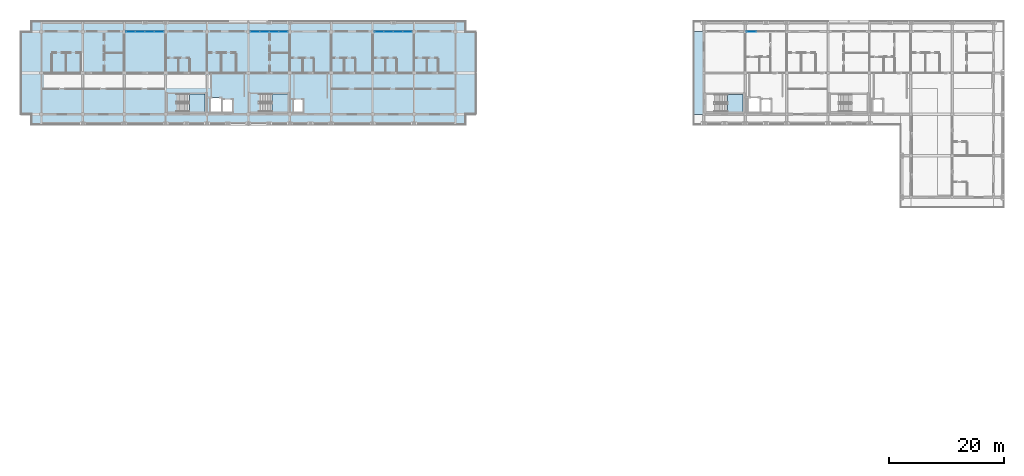
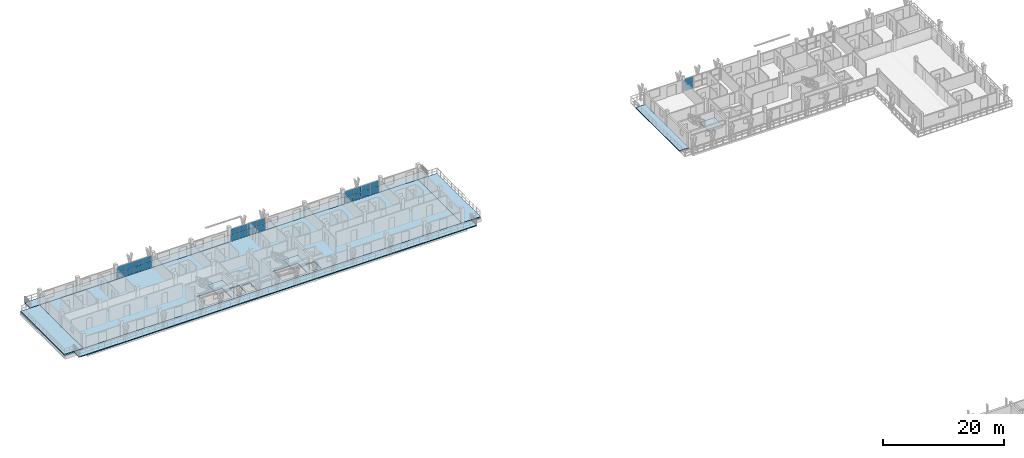
# One storey, part 27 of 56: 26 plates, 9 slabs, 7 elements without a shape of their own.
"""IFC4 building model written with IfcOpenShell, lengths in metres."""

from ifc_helpers import new_model, si_unit, direction, frame, origin, origin_2d, place, context, subcontext, project, spatial, polyline, rectangle, outline, extrude, material, layer, layer_set, type_object, element, aggregate, save


model = new_model("IFC4")

# Units and contexts
model_context = context("Model", 3, precision=1e-05, world=origin(), true_north=direction((0.0, 1.0)))
body_context = subcontext(model_context, "Body", "Model", "MODEL_VIEW")
ifc_project = project(units=[si_unit("LENGTHUNIT", "METRE"), si_unit("AREAUNIT", "SQUARE_METRE"), si_unit("VOLUMEUNIT", "CUBIC_METRE"), si_unit("PLANEANGLEUNIT", "RADIAN"), si_unit("MASSUNIT", "GRAM", prefix="KILO")], contexts=[model_context])

# Site, building, storey
site_placement = place(None, origin())
site = spatial("IfcSite", under=ifc_project, at=site_placement, CompositionType="ELEMENT")
building_placement = place(site_placement, origin())
building = spatial("IfcBuilding", under=site, at=building_placement, Name="Suanplinth Sawtooth Commons", CompositionType="ELEMENT")
storey_placement = place(building_placement, frame((0.0, 0.0, 34.800048828125)))
storey = spatial("IfcBuildingStorey", under=building, at=storey_placement, Name="L10", CompositionType="ELEMENT", Elevation=34.800048828125)

# Curtain wall, plates
ifc_material_1 = material(Name="Anodized aluminium and low-E glazing", Category="aluminium")
curtain_wall_type = type_object("IfcCurtainWallType", Name="CW-06", PredefinedType="USERDEFINED", material=ifc_material_1)
curtain_wall_1_placement = place(storey_placement, origin())
curtain_wall_1 = element("IfcCurtainWall", 1, at=curtain_wall_1_placement, inside=storey, type_object=curtain_wall_type, Name="Curtain Wall CW-L10-A-LOUNGE-2", ObjectType="CURTAIN WALL", PredefinedType="USERDEFINED")
ifc_material_2 = material(Name="Tempered low-E double glazing", Category="glass")
ifc_layer_1 = layer(ifc_material_2, 0.028076171875, Name="Vision low-E insulated glazing unit 28mm")
ifc_layer_set_1 = layer_set([ifc_layer_1], Name="Tempered low-E double glazing")
plate_type = type_object("IfcPlateType", Name="PL-05", PredefinedType="CURTAIN_PANEL", material=ifc_layer_set_1)
plate_1_placement = place(storey_placement, frame((37.141357421875, 122.39990234375, 0.06494140625), z_axis=(0.0, 0.0, 1.0), x_axis=(1.0, 0.0, 0.0)))
plate_1 = element("IfcPlate", 2, at=plate_1_placement, type_object=plate_type, Name="CW-06 panel 1.1", PredefinedType="CURTAIN_PANEL", context=body_context, shape_type="SweptSolid", body=[
    extrude(rectangle(XDim=1.552490234375, YDim=0.028076171875, at=origin_2d()), origin(), (0.0, 0.0, 1.0), 1.157470703125),
])
plate_2_placement = place(storey_placement, frame((37.141357421875, 122.39990234375, 1.28759765625), z_axis=(0.0, 0.0, 1.0), x_axis=(1.0, 0.0, 0.0)))
plate_2 = element("IfcPlate", 3, at=plate_2_placement, type_object=plate_type, Name="CW-06 panel 1.2", PredefinedType="CURTAIN_PANEL", context=body_context, shape_type="SweptSolid", body=[
    extrude(rectangle(XDim=1.552490234375, YDim=0.028076171875, at=origin_2d()), origin(), (0.0, 0.0, 1.0), 1.157470703125),
])
plate_3_placement = place(storey_placement, frame((38.77490234375, 122.39990234375, 0.06494140625), z_axis=(0.0, 0.0, 1.0), x_axis=(1.0, 0.0, 0.0)))
plate_3 = element("IfcPlate", 4, at=plate_3_placement, type_object=plate_type, Name="CW-06 panel 2.1", PredefinedType="CURTAIN_PANEL", context=body_context, shape_type="SweptSolid", body=[
    extrude(rectangle(XDim=1.5849609375, YDim=0.028076171875, at=origin_2d()), origin(), (0.0, 0.0, 1.0), 1.157470703125),
])
plate_4_placement = place(storey_placement, frame((38.77490234375, 122.39990234375, 1.28759765625), z_axis=(0.0, 0.0, 1.0), x_axis=(1.0, 0.0, 0.0)))
plate_4 = element("IfcPlate", 5, at=plate_4_placement, type_object=plate_type, Name="CW-06 panel 2.2", PredefinedType="CURTAIN_PANEL", context=body_context, shape_type="SweptSolid", body=[
    extrude(rectangle(XDim=1.5849609375, YDim=0.028076171875, at=origin_2d()), origin(), (0.0, 0.0, 1.0), 1.157470703125),
])
plate_5_placement = place(storey_placement, frame((40.425048828125, 122.39990234375, 0.06494140625), z_axis=(0.0, 0.0, 1.0), x_axis=(1.0, 0.0, 0.0)))
plate_5 = element("IfcPlate", 6, at=plate_5_placement, type_object=plate_type, Name="CW-06 panel 3.1", PredefinedType="CURTAIN_PANEL", context=body_context, shape_type="SweptSolid", body=[
    extrude(rectangle(XDim=1.5849609375, YDim=0.028076171875, at=origin_2d()), origin(), (0.0, 0.0, 1.0), 1.157470703125),
])
plate_6_placement = place(storey_placement, frame((40.425048828125, 122.39990234375, 1.28759765625), z_axis=(0.0, 0.0, 1.0), x_axis=(1.0, 0.0, 0.0)))
plate_6 = element("IfcPlate", 7, at=plate_6_placement, type_object=plate_type, Name="CW-06 panel 3.2", PredefinedType="CURTAIN_PANEL", context=body_context, shape_type="SweptSolid", body=[
    extrude(rectangle(XDim=1.5849609375, YDim=0.028076171875, at=origin_2d()), origin(), (0.0, 0.0, 1.0), 1.157470703125),
])
plate_7_placement = place(storey_placement, frame((42.058837890625, 122.39990234375, 0.06494140625), z_axis=(0.0, 0.0, 1.0), x_axis=(1.0, 0.0, 0.0)))
plate_7 = element("IfcPlate", 8, at=plate_7_placement, type_object=plate_type, Name="CW-06 panel 4.1", PredefinedType="CURTAIN_PANEL", context=body_context, shape_type="SweptSolid", body=[
    extrude(rectangle(XDim=1.552490234375, YDim=0.028076171875, at=origin_2d()), origin(), (0.0, 0.0, 1.0), 1.157470703125),
])
plate_8_placement = place(storey_placement, frame((42.058837890625, 122.39990234375, 1.28759765625), z_axis=(0.0, 0.0, 1.0), x_axis=(1.0, 0.0, 0.0)))
plate_8 = element("IfcPlate", 9, at=plate_8_placement, type_object=plate_type, Name="CW-06 panel 4.2", PredefinedType="CURTAIN_PANEL", context=body_context, shape_type="SweptSolid", body=[
    extrude(rectangle(XDim=1.552490234375, YDim=0.028076171875, at=origin_2d()), origin(), (0.0, 0.0, 1.0), 1.157470703125),
])
aggregate(curtain_wall_1, [plate_1, plate_2, plate_3, plate_4, plate_5, plate_6, plate_7, plate_8])

curtain_wall_2_placement = place(storey_placement, origin())
curtain_wall_2 = element("IfcCurtainWall", 10, at=curtain_wall_2_placement, inside=storey, type_object=curtain_wall_type, Name="Curtain Wall CW-L10-A-LOUNGE-5", ObjectType="CURTAIN WALL", PredefinedType="USERDEFINED")
plate_9_placement = place(storey_placement, frame((58.7412109375, 122.39990234375, 0.06494140625), z_axis=(0.0, 0.0, 1.0), x_axis=(1.0, 0.0, 0.0)))
plate_9 = element("IfcPlate", 11, at=plate_9_placement, type_object=plate_type, Name="CW-06 panel 1.1", PredefinedType="CURTAIN_PANEL", context=body_context, shape_type="SweptSolid", body=[
    extrude(rectangle(XDim=1.552490234375, YDim=0.028076171875, at=origin_2d()), origin(), (0.0, 0.0, 1.0), 1.157470703125),
])
plate_10_placement = place(storey_placement, frame((58.7412109375, 122.39990234375, 1.28759765625), z_axis=(0.0, 0.0, 1.0), x_axis=(1.0, 0.0, 0.0)))
plate_10 = element("IfcPlate", 12, at=plate_10_placement, type_object=plate_type, Name="CW-06 panel 1.2", PredefinedType="CURTAIN_PANEL", context=body_context, shape_type="SweptSolid", body=[
    extrude(rectangle(XDim=1.552490234375, YDim=0.028076171875, at=origin_2d()), origin(), (0.0, 0.0, 1.0), 1.157470703125),
])
plate_11_placement = place(storey_placement, frame((60.375, 122.39990234375, 0.06494140625), z_axis=(0.0, 0.0, 1.0), x_axis=(1.0, 0.0, 0.0)))
plate_11 = element("IfcPlate", 13, at=plate_11_placement, type_object=plate_type, Name="CW-06 panel 2.1", PredefinedType="CURTAIN_PANEL", context=body_context, shape_type="SweptSolid", body=[
    extrude(rectangle(XDim=1.5849609375, YDim=0.028076171875, at=origin_2d()), origin(), (0.0, 0.0, 1.0), 1.157470703125),
])
plate_12_placement = place(storey_placement, frame((60.375, 122.39990234375, 1.28759765625), z_axis=(0.0, 0.0, 1.0), x_axis=(1.0, 0.0, 0.0)))
plate_12 = element("IfcPlate", 14, at=plate_12_placement, type_object=plate_type, Name="CW-06 panel 2.2", PredefinedType="CURTAIN_PANEL", context=body_context, shape_type="SweptSolid", body=[
    extrude(rectangle(XDim=1.5849609375, YDim=0.028076171875, at=origin_2d()), origin(), (0.0, 0.0, 1.0), 1.157470703125),
])
plate_13_placement = place(storey_placement, frame((62.02490234375, 122.39990234375, 0.06494140625), z_axis=(0.0, 0.0, 1.0), x_axis=(1.0, 0.0, 0.0)))
plate_13 = element("IfcPlate", 15, at=plate_13_placement, type_object=plate_type, Name="CW-06 panel 3.1", PredefinedType="CURTAIN_PANEL", context=body_context, shape_type="SweptSolid", body=[
    extrude(rectangle(XDim=1.5849609375, YDim=0.028076171875, at=origin_2d()), origin(), (0.0, 0.0, 1.0), 1.157470703125),
])
plate_14_placement = place(storey_placement, frame((62.02490234375, 122.39990234375, 1.28759765625), z_axis=(0.0, 0.0, 1.0), x_axis=(1.0, 0.0, 0.0)))
plate_14 = element("IfcPlate", 16, at=plate_14_placement, type_object=plate_type, Name="CW-06 panel 3.2", PredefinedType="CURTAIN_PANEL", context=body_context, shape_type="SweptSolid", body=[
    extrude(rectangle(XDim=1.5849609375, YDim=0.028076171875, at=origin_2d()), origin(), (0.0, 0.0, 1.0), 1.157470703125),
])
plate_15_placement = place(storey_placement, frame((63.65869140625, 122.39990234375, 0.06494140625), z_axis=(0.0, 0.0, 1.0), x_axis=(1.0, 0.0, 0.0)))
plate_15 = element("IfcPlate", 17, at=plate_15_placement, type_object=plate_type, Name="CW-06 panel 4.1", PredefinedType="CURTAIN_PANEL", context=body_context, shape_type="SweptSolid", body=[
    extrude(rectangle(XDim=1.552490234375, YDim=0.028076171875, at=origin_2d()), origin(), (0.0, 0.0, 1.0), 1.157470703125),
])
plate_16_placement = place(storey_placement, frame((63.65869140625, 122.39990234375, 1.28759765625), z_axis=(0.0, 0.0, 1.0), x_axis=(1.0, 0.0, 0.0)))
plate_16 = element("IfcPlate", 18, at=plate_16_placement, type_object=plate_type, Name="CW-06 panel 4.2", PredefinedType="CURTAIN_PANEL", context=body_context, shape_type="SweptSolid", body=[
    extrude(rectangle(XDim=1.552490234375, YDim=0.028076171875, at=origin_2d()), origin(), (0.0, 0.0, 1.0), 1.157470703125),
])
aggregate(curtain_wall_2, [plate_9, plate_10, plate_11, plate_12, plate_13, plate_14, plate_15, plate_16])

curtain_wall_3_placement = place(storey_placement, origin())
curtain_wall_3 = element("IfcCurtainWall", 19, at=curtain_wall_3_placement, inside=storey, type_object=curtain_wall_type, Name="Curtain Wall CW-L10-A-LOUNGE-8", ObjectType="CURTAIN WALL", PredefinedType="USERDEFINED")
plate_17_placement = place(storey_placement, frame((80.34130859375, 122.39990234375, 0.06494140625), z_axis=(0.0, 0.0, 1.0), x_axis=(1.0, 0.0, 0.0)))
plate_17 = element("IfcPlate", 20, at=plate_17_placement, type_object=plate_type, Name="CW-06 panel 1.1", PredefinedType="CURTAIN_PANEL", context=body_context, shape_type="SweptSolid", body=[
    extrude(rectangle(XDim=1.552490234375, YDim=0.028076171875, at=origin_2d()), origin(), (0.0, 0.0, 1.0), 1.157470703125),
])
plate_18_placement = place(storey_placement, frame((80.34130859375, 122.39990234375, 1.28759765625), z_axis=(0.0, 0.0, 1.0), x_axis=(1.0, 0.0, 0.0)))
plate_18 = element("IfcPlate", 21, at=plate_18_placement, type_object=plate_type, Name="CW-06 panel 1.2", PredefinedType="CURTAIN_PANEL", context=body_context, shape_type="SweptSolid", body=[
    extrude(rectangle(XDim=1.552490234375, YDim=0.028076171875, at=origin_2d()), origin(), (0.0, 0.0, 1.0), 1.157470703125),
])
plate_19_placement = place(storey_placement, frame((81.97509765625, 122.39990234375, 0.06494140625), z_axis=(0.0, 0.0, 1.0), x_axis=(1.0, 0.0, 0.0)))
plate_19 = element("IfcPlate", 22, at=plate_19_placement, type_object=plate_type, Name="CW-06 panel 2.1", PredefinedType="CURTAIN_PANEL", context=body_context, shape_type="SweptSolid", body=[
    extrude(rectangle(XDim=1.5849609375, YDim=0.028076171875, at=origin_2d()), origin(), (0.0, 0.0, 1.0), 1.157470703125),
])
plate_20_placement = place(storey_placement, frame((81.97509765625, 122.39990234375, 1.28759765625), z_axis=(0.0, 0.0, 1.0), x_axis=(1.0, 0.0, 0.0)))
plate_20 = element("IfcPlate", 23, at=plate_20_placement, type_object=plate_type, Name="CW-06 panel 2.2", PredefinedType="CURTAIN_PANEL", context=body_context, shape_type="SweptSolid", body=[
    extrude(rectangle(XDim=1.5849609375, YDim=0.028076171875, at=origin_2d()), origin(), (0.0, 0.0, 1.0), 1.157470703125),
])
plate_21_placement = place(storey_placement, frame((83.625, 122.39990234375, 0.06494140625), z_axis=(0.0, 0.0, 1.0), x_axis=(1.0, 0.0, 0.0)))
plate_21 = element("IfcPlate", 24, at=plate_21_placement, type_object=plate_type, Name="CW-06 panel 3.1", PredefinedType="CURTAIN_PANEL", context=body_context, shape_type="SweptSolid", body=[
    extrude(rectangle(XDim=1.5849609375, YDim=0.028076171875, at=origin_2d()), origin(), (0.0, 0.0, 1.0), 1.157470703125),
])
plate_22_placement = place(storey_placement, frame((83.625, 122.39990234375, 1.28759765625), z_axis=(0.0, 0.0, 1.0), x_axis=(1.0, 0.0, 0.0)))
plate_22 = element("IfcPlate", 25, at=plate_22_placement, type_object=plate_type, Name="CW-06 panel 3.2", PredefinedType="CURTAIN_PANEL", context=body_context, shape_type="SweptSolid", body=[
    extrude(rectangle(XDim=1.5849609375, YDim=0.028076171875, at=origin_2d()), origin(), (0.0, 0.0, 1.0), 1.157470703125),
])
plate_23_placement = place(storey_placement, frame((85.2587890625, 122.39990234375, 0.06494140625), z_axis=(0.0, 0.0, 1.0), x_axis=(1.0, 0.0, 0.0)))
plate_23 = element("IfcPlate", 26, at=plate_23_placement, type_object=plate_type, Name="CW-06 panel 4.1", PredefinedType="CURTAIN_PANEL", context=body_context, shape_type="SweptSolid", body=[
    extrude(rectangle(XDim=1.552490234375, YDim=0.028076171875, at=origin_2d()), origin(), (0.0, 0.0, 1.0), 1.157470703125),
])
plate_24_placement = place(storey_placement, frame((85.2587890625, 122.39990234375, 1.28759765625), z_axis=(0.0, 0.0, 1.0), x_axis=(1.0, 0.0, 0.0)))
plate_24 = element("IfcPlate", 27, at=plate_24_placement, type_object=plate_type, Name="CW-06 panel 4.2", PredefinedType="CURTAIN_PANEL", context=body_context, shape_type="SweptSolid", body=[
    extrude(rectangle(XDim=1.552490234375, YDim=0.028076171875, at=origin_2d()), origin(), (0.0, 0.0, 1.0), 1.157470703125),
])
aggregate(curtain_wall_3, [plate_17, plate_18, plate_19, plate_20, plate_21, plate_22, plate_23, plate_24])

curtain_wall_4_placement = place(storey_placement, origin())
curtain_wall_4 = element("IfcCurtainWall", 28, at=curtain_wall_4_placement, inside=storey, type_object=curtain_wall_type, Name="Curtain Wall CW-L10-B-LOUNGE-20", ObjectType="CURTAIN WALL", PredefinedType="USERDEFINED")
plate_25_placement = place(storey_placement, frame((145.0849609375, 122.39990234375, 0.06494140625), z_axis=(0.0, 0.0, 1.0), x_axis=(1.0, 0.0, 0.0)))
plate_25 = element("IfcPlate", 29, at=plate_25_placement, type_object=plate_type, Name="CW-06 panel 1.1", PredefinedType="CURTAIN_PANEL", context=body_context, shape_type="SweptSolid", body=[
    extrude(rectangle(XDim=1.590087890625, YDim=0.028076171875, at=origin_2d()), origin(), (0.0, 0.0, 1.0), 1.157470703125),
])
plate_26_placement = place(storey_placement, frame((145.0849609375, 122.39990234375, 1.28759765625), z_axis=(0.0, 0.0, 1.0), x_axis=(1.0, 0.0, 0.0)))
plate_26 = element("IfcPlate", 30, at=plate_26_placement, type_object=plate_type, Name="CW-06 panel 1.2", PredefinedType="CURTAIN_PANEL", context=body_context, shape_type="SweptSolid", body=[
    extrude(rectangle(XDim=1.590087890625, YDim=0.028076171875, at=origin_2d()), origin(), (0.0, 0.0, 1.0), 1.157470703125),
])
aggregate(curtain_wall_4, [plate_25, plate_26])

# Slabs
ifc_material_3 = material(Name="Precast concrete C40/50", Category="concrete")
ifc_layer_2 = layer(ifc_material_3, 0.179931640625, Name="Wrap-around cantilevered precast balcony slab 180mm")
ifc_layer_set_2 = layer_set([ifc_layer_2], Name="Precast concrete C40/50")
slab_type_1 = type_object("IfcSlabType", Name="S-BL01", PredefinedType="FLOOR", material=ifc_layer_set_2)
slab_1_placement = place(storey_placement, frame((0.0, 0.0, -0.179931640625)))
element("IfcSlab", 31, at=slab_1_placement, inside=storey, type_object=slab_type_1, Name="L10 Block A Wrap-Around Balcony N", PredefinedType="FLOOR", context=body_context, shape_type="SweptSolid", body=[
    extrude(outline(polyline([(19.800048828125, 124.199951171875), (95.39990234375, 124.199951171875), (95.39990234375, 122.39990234375), (19.800048828125, 122.39990234375), (19.800048828125, 124.199951171875)])), origin(), (0.0, 0.0, 1.0), 0.179931640625),
])
slab_2_placement = place(storey_placement, frame((0.0, 0.0, -0.179931640625)))
element("IfcSlab", 32, at=slab_2_placement, inside=storey, type_object=slab_type_1, Name="L10 Block A Wrap-Around Balcony S", PredefinedType="FLOOR", context=body_context, shape_type="SweptSolid", body=[
    extrude(outline(polyline([(95.39990234375, 106.199951171875), (19.800048828125, 106.199951171875), (19.800048828125, 108.0), (95.39990234375, 108.0), (95.39990234375, 106.199951171875)])), origin(), (0.0, 0.0, 1.0), 0.179931640625),
])
slab_3_placement = place(storey_placement, frame((0.0, 0.0, -0.179931640625)))
element("IfcSlab", 33, at=slab_3_placement, inside=storey, type_object=slab_type_1, Name="L10 Block B Wrap-Around Balcony WEND", PredefinedType="FLOOR", context=body_context, shape_type="SweptSolid", body=[
    extrude(outline(polyline([(136.800048828125, 108.0), (135.0, 108.0), (135.0, 122.39990234375), (136.800048828125, 122.39990234375), (136.800048828125, 108.0)])), origin(), (0.0, 0.0, 1.0), 0.179931640625),
])
ifc_layer_3 = layer(ifc_material_3, 0.219970703125, Name="Precast hollow-core + topping floor slab 220mm")
ifc_layer_set_3 = layer_set([ifc_layer_3], Name="Precast concrete C40/50")
slab_type_2 = type_object("IfcSlabType", Name="S-FL03", PredefinedType="FLOOR", material=ifc_layer_set_3)
slab_4_placement = place(storey_placement, frame((0.0, 0.0, -0.219970703125)))
element("IfcSlab", 34, at=slab_4_placement, inside=storey, type_object=slab_type_2, Name="L10 Block A Structural Floor Plate", PredefinedType="FLOOR", context=body_context, shape_type="SweptSolid", body=[
    extrude(outline(polyline([(21.60009765625, 108.0), (93.60009765625, 108.0), (93.60009765625, 122.39990234375), (21.60009765625, 122.39990234375), (21.60009765625, 108.0)]), holes=[polyline([(45.2900390625, 108.449951171875), (50.050048828125, 108.449951171875), (50.050048828125, 111.550048828125), (45.2900390625, 111.550048828125), (45.2900390625, 108.449951171875)]), polyline([(51.050048828125, 108.449951171875), (52.85009765625, 108.449951171875), (52.85009765625, 110.85009765625), (51.050048828125, 110.85009765625), (51.050048828125, 108.449951171875)]), polyline([(53.199951171875, 108.449951171875), (54.800048828125, 108.449951171875), (54.800048828125, 110.550048828125), (53.199951171875, 110.550048828125), (53.199951171875, 108.449951171875)]), polyline([(59.68994140625, 108.449951171875), (64.449951171875, 108.449951171875), (64.449951171875, 111.550048828125), (59.68994140625, 111.550048828125), (59.68994140625, 108.449951171875)]), polyline([(65.449951171875, 108.449951171875), (67.050048828125, 108.449951171875), (67.050048828125, 110.550048828125), (65.449951171875, 110.550048828125), (65.449951171875, 108.449951171875)])]), origin(), (0.0, 0.0, 1.0), 0.219970703125),
])

# Stair, slab
ifc_material_4 = material(Name="Concrete C40/50", Category="concrete")
stair_type_1 = type_object("IfcStairType", Name="ST-03", PredefinedType="USERDEFINED", material=ifc_material_4)
stair_1_placement = place(storey_placement, origin())
stair_1 = element("IfcStair", 35, at=stair_1_placement, inside=storey, type_object=stair_type_1, Name="L10 Exit Stair ST-N1", ObjectType="TWO_RETURN_STAIR", PredefinedType="USERDEFINED")
ifc_layer_4 = layer(ifc_material_4, 0.199951171875, Name="Reinforced concrete stair and ramp landing slab 200mm")
ifc_layer_set_4 = layer_set([ifc_layer_4], Name="Concrete C40/50")
slab_type_3 = type_object("IfcSlabType", Name="S-LD01", PredefinedType="LANDING", material=ifc_layer_set_4)
slab_5_placement = place(storey_placement, frame((0.0, 0.0, 1.39990234375)))
slab_5 = element("IfcSlab", 36, at=slab_5_placement, type_object=slab_type_3, Name="ST-03 landing 1", PredefinedType="LANDING", context=body_context, shape_type="SweptSolid", body=[
    extrude(outline(polyline([(47.330078125, 108.449951171875), (50.050048828125, 108.449951171875), (50.050048828125, 111.550048828125), (47.330078125, 111.550048828125), (47.330078125, 108.449951171875)])), origin(), (0.0, 0.0, 1.0), 0.199951171875),
])
aggregate(stair_1, [slab_5])

stair_2_placement = place(storey_placement, origin())
stair_2 = element("IfcStair", 37, at=stair_2_placement, inside=storey, type_object=stair_type_1, Name="L10 Exit Stair ST-N2", ObjectType="TWO_RETURN_STAIR", PredefinedType="USERDEFINED")
slab_6_placement = place(storey_placement, frame((0.0, 0.0, 1.39990234375)))
slab_6 = element("IfcSlab", 38, at=slab_6_placement, type_object=slab_type_3, Name="ST-03 landing 1", PredefinedType="LANDING", context=body_context, shape_type="SweptSolid", body=[
    extrude(outline(polyline([(61.72998046875, 108.449951171875), (64.449951171875, 108.449951171875), (64.449951171875, 111.550048828125), (61.72998046875, 111.550048828125), (61.72998046875, 108.449951171875)])), origin(), (0.0, 0.0, 1.0), 0.199951171875),
])
aggregate(stair_2, [slab_6])

stair_type_2 = type_object("IfcStairType", Name="ST-07", PredefinedType="USERDEFINED", material=ifc_material_4)
stair_3_placement = place(storey_placement, origin())
stair_3 = element("IfcStair", 39, at=stair_3_placement, inside=storey, type_object=stair_type_2, Name="L10 Exit Stair ST-E1", ObjectType="TWO_RETURN_STAIR", PredefinedType="USERDEFINED")
slab_7_placement = place(storey_placement, frame((0.0, 0.0, 1.39990234375)))
slab_7 = element("IfcSlab", 40, at=slab_7_placement, type_object=slab_type_3, Name="ST-07 landing 1", PredefinedType="LANDING", context=body_context, shape_type="SweptSolid", body=[
    extrude(outline(polyline([(140.929931640625, 108.449951171875), (143.64990234375, 108.449951171875), (143.64990234375, 111.449951171875), (140.929931640625, 111.449951171875), (140.929931640625, 108.449951171875)])), origin(), (0.0, 0.0, 1.0), 0.199951171875),
])
aggregate(stair_3, [slab_7])

# Slabs
ifc_layer_5 = layer(ifc_material_4, 0.239990234375, Name="Stepped sky-terrace & courtyard garden slab 240mm")
ifc_layer_set_5 = layer_set([ifc_layer_5], Name="Concrete C40/50")
slab_type_4 = type_object("IfcSlabType", Name="S-TR01", PredefinedType="FLOOR", material=ifc_layer_set_5)
slab_8_placement = place(storey_placement, frame((0.0, 0.0, -0.239990234375)))
element("IfcSlab", 41, at=slab_8_placement, inside=storey, type_object=slab_type_4, Name="L10 Block A Stepped Sky-Terrace 1", PredefinedType="FLOOR", context=body_context, shape_type="SweptSolid", body=[
    extrude(outline(polyline([(18.0, 108.0), (18.0, 122.39990234375), (21.60009765625, 122.39990234375), (21.60009765625, 108.0), (18.0, 108.0)])), origin(), (0.0, 0.0, 1.0), 0.239990234375),
])
slab_9_placement = place(storey_placement, frame((0.0, 0.0, -0.239990234375)))
element("IfcSlab", 42, at=slab_9_placement, inside=storey, type_object=slab_type_4, Name="L10 Block A Stepped Sky-Terrace 2", PredefinedType="FLOOR", context=body_context, shape_type="SweptSolid", body=[
    extrude(outline(polyline([(97.199951171875, 122.39990234375), (97.199951171875, 108.0), (93.60009765625, 108.0), (93.60009765625, 122.39990234375), (97.199951171875, 122.39990234375)])), origin(), (0.0, 0.0, 1.0), 0.239990234375),
])

save(model, "model.ifc")
